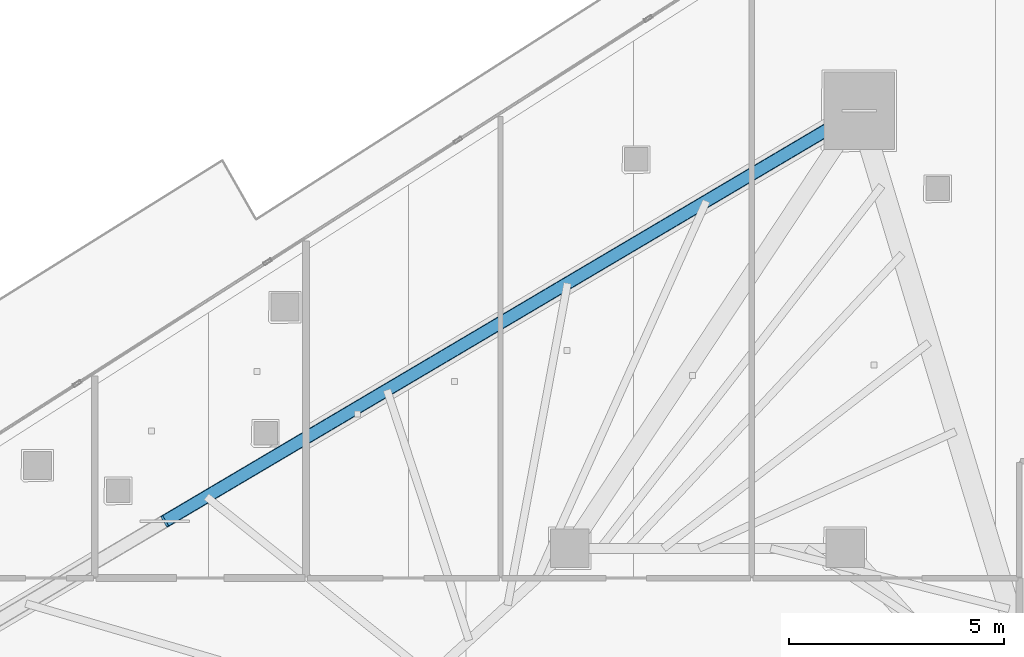
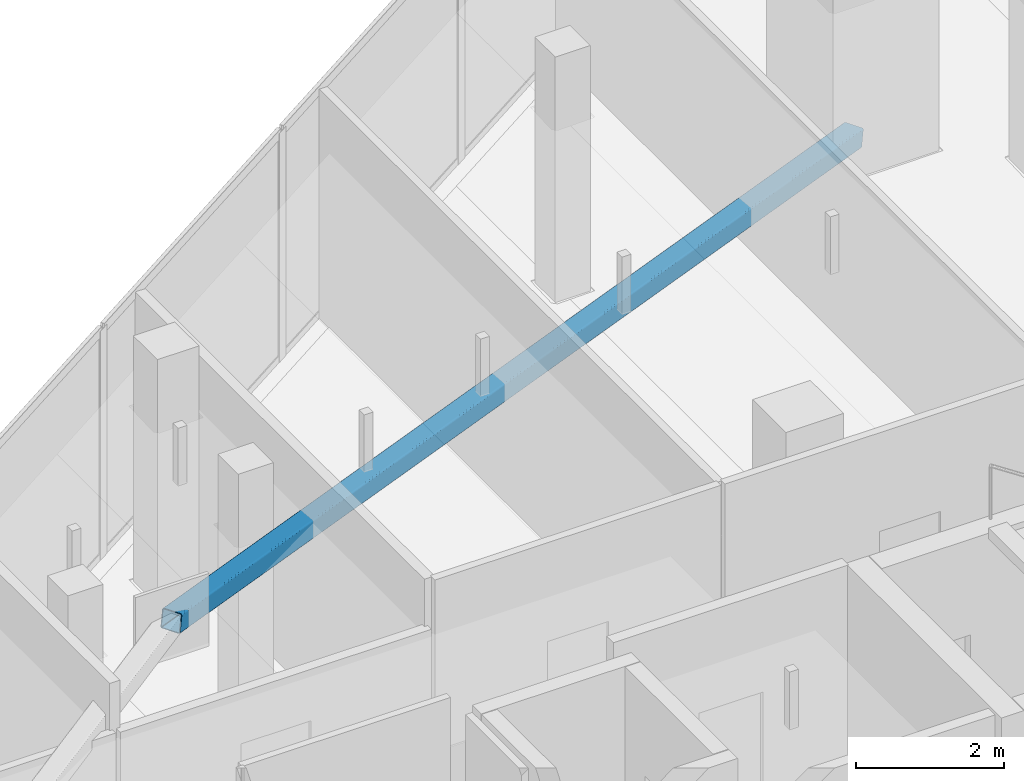
# One storey, part 21 of 40: 1 member.
"""IFC4 building model written with IfcOpenShell, lengths in metres."""

from ifc_helpers import new_model, si_unit, direction, frame, origin, origin_2d, place, context, subcontext, project, spatial, hollow_rectangle, extrude, material, material_profile, profile_set, type_object, element, save


model = new_model("IFC4")

# Units and contexts
model_context = context("Model", 3, precision=1e-05, world=origin(), true_north=direction((0.0, 1.0)))
body_context = subcontext(model_context, "Body", "Model", "MODEL_VIEW")
ifc_project = project(units=[si_unit("LENGTHUNIT", "METRE"), si_unit("AREAUNIT", "SQUARE_METRE"), si_unit("VOLUMEUNIT", "CUBIC_METRE"), si_unit("PLANEANGLEUNIT", "RADIAN"), si_unit("MASSUNIT", "GRAM", prefix="KILO")], contexts=[model_context])

# Site, building, storey
site_placement = place(None, origin())
site = spatial("IfcSite", under=ifc_project, at=site_placement, CompositionType="ELEMENT")
building_placement = place(site_placement, origin())
building = spatial("IfcBuilding", under=site, at=building_placement, Name="Qorvath Tower", CompositionType="ELEMENT")
storey_placement = place(building_placement, frame((0.0, 0.0, 225.300048828125)))
storey = spatial("IfcBuildingStorey", under=building, at=storey_placement, Name="L52", CompositionType="ELEMENT", Elevation=225.300048828125)

# Member
ifc_material = material(Name="Steel ASTM A500 Grade C", Category="steel")
ifc_material_profile = material_profile(ifc_material, hollow_rectangle(XDim=0.3046875, YDim=0.3046875, WallThickness=0.0126953125, InnerFilletRadius=0.0126953125, OuterFilletRadius=0.025390625, at=origin_2d()), Name="HSS 305x305x12.7")
ifc_profile_set = profile_set([ifc_material_profile], Name="Steel ASTM A500 Grade C")
member_type = type_object("IfcMemberType", Name="MEM-MB3", PredefinedType="BRACE", material=ifc_profile_set)
member_placement = place(storey_placement, frame((-16.87158203125, 21.627197265625, 0.0), z_axis=(-0.846741468388, -0.500689925738, 0.179829040973), x_axis=(0.508987501872, -0.860773909304, 0.0)))
element("IfcMember", 1, at=member_placement, inside=storey, type_object=member_type, Name="Perimeter Chevron Brace L52-1A", PredefinedType="BRACE", context=body_context, shape_type="SweptSolid", body=[
    extrude(hollow_rectangle(XDim=0.3046875, YDim=0.3046875, WallThickness=0.0126953125, InnerFilletRadius=0.0126953125, OuterFilletRadius=0.025390625, at=origin_2d()), origin(), (0.0, 0.0, 1.0), 19.0732421875),
])

save(model, "model.ifc")
